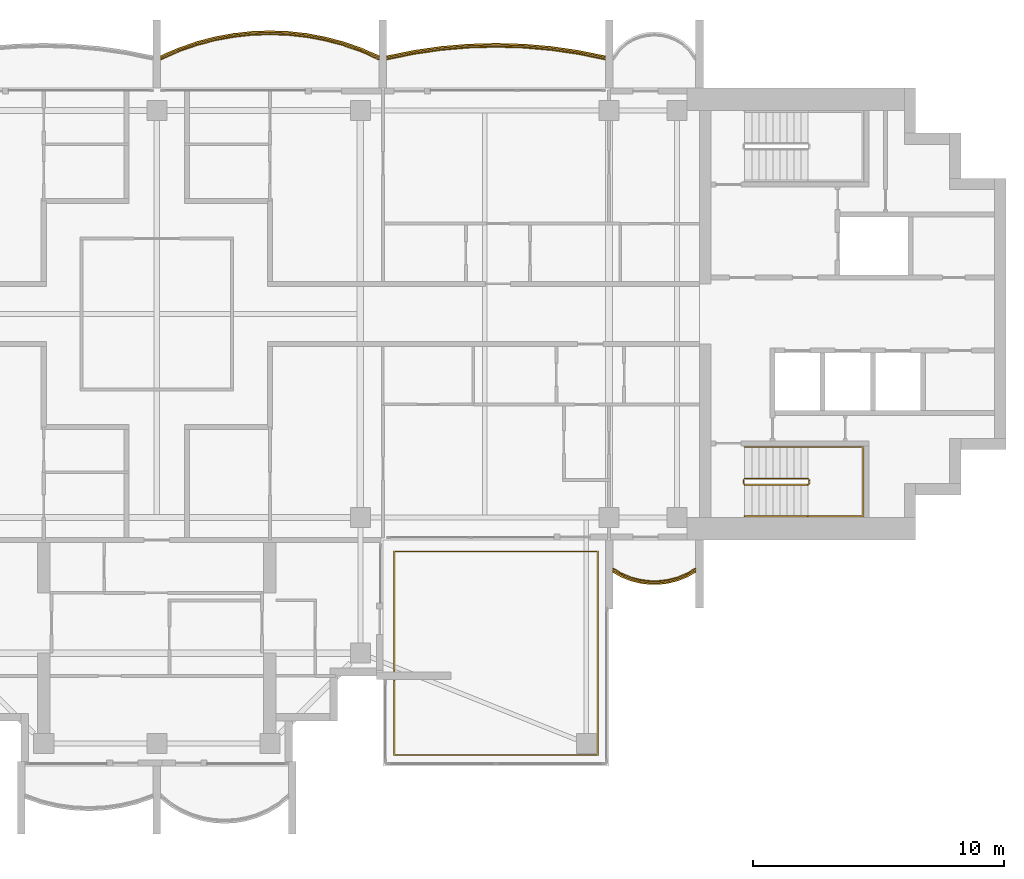
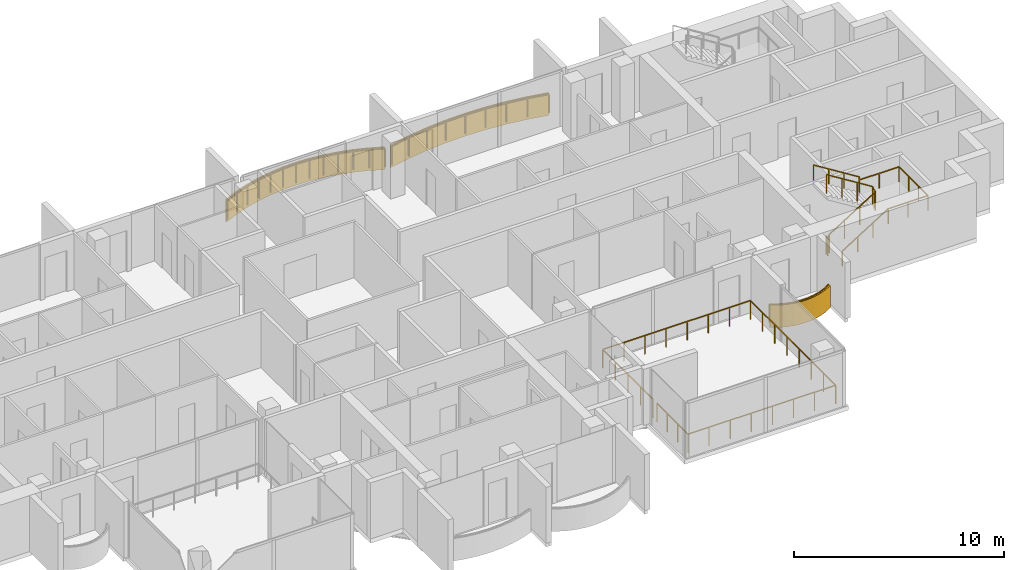
# One storey, part 15 of 16: 6 railings, 3 coverings.
"""IFC4 building model written with IfcOpenShell, lengths in metres."""

from ifc_helpers import new_model, si_unit, direction, frame, origin, origin_2d, place, context, subcontext, project, spatial, polyline, rectangle, outline, extrude, material, layer, layer_set, type_object, element, save


model = new_model("IFC4")

# Units and contexts
model_context = context("Model", 3, precision=1e-05, world=origin(), true_north=direction((0.0, 1.0)))
body_context = subcontext(model_context, "Body", "Model", "MODEL_VIEW")
ifc_project = project(units=[si_unit("LENGTHUNIT", "METRE"), si_unit("AREAUNIT", "SQUARE_METRE"), si_unit("VOLUMEUNIT", "CUBIC_METRE"), si_unit("PLANEANGLEUNIT", "RADIAN"), si_unit("MASSUNIT", "GRAM", prefix="KILO")], contexts=[model_context])

# Site, building, storey
site_placement = place(None, origin())
site = spatial("IfcSite", under=ifc_project, at=site_placement, CompositionType="ELEMENT")
building_placement = place(site_placement, origin())
building = spatial("IfcBuilding", under=site, at=building_placement, Name="Perihelion Cross Residences", CompositionType="ELEMENT")
storey_placement = place(building_placement, frame((0.0, 0.0, 257.0)))
storey = spatial("IfcBuildingStorey", under=building, at=storey_placement, Name="L65", CompositionType="ELEMENT", Elevation=257.0)

# Coverings
ifc_material_1 = material(Name="Bronze anodised aluminium", Category="aluminium")
ifc_layer = layer(ifc_material_1, 0.070068359375)
ifc_layer_set = layer_set([ifc_layer], Name="Balcony fascia 1300")
covering_type = type_object("IfcCoveringType", Name="Balcony fascia 1300", PredefinedType="CLADDING", material=ifc_layer_set)
covering_1_placement = place(storey_placement, frame((0.0, 0.0, -0.199951171875)))
element("IfcCovering", 1, at=covering_1_placement, inside=storey, type_object=covering_type, Name="Fascia BF1 L65 east side north bay 2", PredefinedType="CLADDING", context=body_context, shape_type="SweptSolid", body=[
    extrude(outline(polyline([(16.7744140625, 10.4892578125), (15.682861328125, 10.645751953125), (14.591552734375, 10.739013671875), (13.5, 10.77001953125), (12.408447265625, 10.739013671875), (11.317138671875, 10.645751953125), (10.2255859375, 10.4892578125), (9.14990234375, 10.271484375), (9.14990234375, 10.199951171875), (10.237548828125, 10.42041015625), (11.324951171875, 10.576171875), (12.41259765625, 10.669189453125), (13.5, 10.699951171875), (14.58740234375, 10.669189453125), (15.675048828125, 10.576171875), (16.762451171875, 10.42041015625), (17.85009765625, 10.199951171875), (17.85009765625, 10.271484375), (16.7744140625, 10.4892578125)])), origin(), (0.0, 0.0, 1.0), 1.300048828125),
])
covering_2_placement = place(storey_placement, frame((0.0, 0.0, -0.199951171875)))
element("IfcCovering", 2, at=covering_2_placement, inside=storey, type_object=covering_type, Name="Fascia BF1 L65 north side east bay 1", PredefinedType="CLADDING", context=body_context, shape_type="SweptSolid", body=[
    extrude(outline(polyline([(8.150634765625, 10.582275390625), (7.42041015625, 10.83544921875), (6.690185546875, 11.028076171875), (5.960205078125, 11.1630859375), (5.22998046875, 11.243408203125), (4.5, 11.27001953125), (3.77001953125, 11.243408203125), (3.039794921875, 11.1630859375), (2.309814453125, 11.028076171875), (1.57958984375, 10.83544921875), (0.849365234375, 10.582275390625), (0.14990234375, 10.2763671875), (0.14990234375, 10.199951171875), (0.875, 10.51708984375), (1.60009765625, 10.7685546875), (2.324951171875, 10.959716796875), (3.050048828125, 11.093994140625), (3.77490234375, 11.173583984375), (4.5, 11.199951171875), (5.22509765625, 11.173583984375), (5.949951171875, 11.093994140625), (6.675048828125, 10.959716796875), (7.39990234375, 10.7685546875), (8.125, 10.51708984375), (8.85009765625, 10.199951171875), (8.85009765625, 10.2763671875), (8.150634765625, 10.582275390625)])), origin(), (0.0, 0.0, 1.0), 1.300048828125),
])
covering_3_placement = place(storey_placement, frame((0.0, 0.0, -0.199951171875)))
element("IfcCovering", 3, at=covering_3_placement, inside=storey, type_object=covering_type, Name="Fascia BF1 L65 east side south bay 2", PredefinedType="CLADDING", context=body_context, shape_type="SweptSolid", body=[
    extrude(outline(polyline([(18.486328125, -10.4716796875), (18.861572265625, -10.62158203125), (19.237060546875, -10.717529296875), (19.6123046875, -10.76416015625), (19.987548828125, -10.76416015625), (20.363037109375, -10.717529296875), (20.73828125, -10.62158203125), (21.11376953125, -10.4716796875), (21.449951171875, -10.280517578125), (21.449951171875, -10.199951171875), (21.083251953125, -10.40869140625), (20.716552734375, -10.55517578125), (20.35009765625, -10.648681640625), (19.9833984375, -10.6943359375), (19.61669921875, -10.6943359375), (19.25, -10.648681640625), (18.88330078125, -10.55517578125), (18.5166015625, -10.40869140625), (18.14990234375, -10.199951171875), (18.14990234375, -10.280517578125), (18.486328125, -10.4716796875)])), origin(), (0.0, 0.0, 1.0), 1.300048828125),
])

# Railings
ifc_material_2 = material(Name="Bronze anodised aluminium", Category="aluminium")
railing_type_1 = type_object("IfcRailingType", Name="Balcony guard 1100", PredefinedType="GUARDRAIL", material=ifc_material_2)
railing_1_placement = place(storey_placement, frame((17.824951171875, 10.139892578125, 0.0)))
element("IfcRailing", 4, at=railing_1_placement, inside=storey, type_object=railing_type_1, Name="Guard GU1 L65 east side north bay 2 balcony", PredefinedType="GUARDRAIL", context=body_context, shape_type="SweptSolid", body=[
    extrude(rectangle(XDim=0.048095703125, YDim=0.048095703125, at=origin_2d()), frame((0.0, 0.0, 1.076171875), z_axis=(-0.979144816647, 0.203163549961, 0.0), x_axis=(-0.203163549961, -0.979144816647, 0.0)), (0.0, 0.0, 1.0), 1.085205078125),
    extrude(rectangle(XDim=0.048095703125, YDim=0.048095703125, at=origin_2d()), frame((-1.0625, 0.220458984375, 1.076171875), z_axis=(-0.98989608354, 0.141794724135, 0.0), x_axis=(-0.141794724135, -0.98989608354, 0.0)), (0.0, 0.0, 1.0), 1.098388671875),
    extrude(rectangle(XDim=0.048095703125, YDim=0.048095703125, at=origin_2d()), frame((-2.14990234375, 0.376220703125, 1.076171875), z_axis=(-0.996362942492, 0.085210837506, 0.0), x_axis=(-0.085210837506, -0.996362942492, 0.0)), (0.0, 0.0, 1.0), 1.091552734375),
    extrude(rectangle(XDim=0.048095703125, YDim=0.048095703125, at=origin_2d()), frame((-3.237548828125, 0.46923828125, 1.076171875), z_axis=(-0.999600101203, 0.028277865458, 0.0), x_axis=(-0.028277865458, -0.999600101203, 0.0)), (0.0, 0.0, 1.0), 1.087890625),
    extrude(rectangle(XDim=0.048095703125, YDim=0.048095703125, at=origin_2d()), frame((-4.324951171875, 0.5, 1.076171875), z_axis=(-0.999600101203, -0.028277865458, 0.0), x_axis=(0.028277865458, -0.999600101203, 0.0)), (0.0, 0.0, 1.0), 1.087890625),
    extrude(rectangle(XDim=0.048095703125, YDim=0.048095703125, at=origin_2d()), frame((-5.412353515625, 0.46923828125, 1.076171875), z_axis=(-0.996362942492, -0.085210837506, 0.0), x_axis=(0.085210837506, -0.996362942492, 0.0)), (0.0, 0.0, 1.0), 1.091552734375),
    extrude(rectangle(XDim=0.048095703125, YDim=0.048095703125, at=origin_2d()), frame((-6.5, 0.376220703125, 1.076171875), z_axis=(-0.98989608354, -0.141794724135, 0.0), x_axis=(0.141794724135, -0.98989608354, 0.0)), (0.0, 0.0, 1.0), 1.098388671875),
    extrude(rectangle(XDim=0.048095703125, YDim=0.048095703125, at=origin_2d()), frame((-7.58740234375, 0.220458984375, 1.076171875), z_axis=(-0.979144816647, -0.203163549961, 0.0), x_axis=(0.203163549961, -0.979144816647, 0.0)), (0.0, 0.0, 1.0), 1.085205078125),
    extrude(rectangle(XDim=0.0419921875, YDim=0.0419921875, at=origin_2d()), origin(), (0.0, 0.0, 1.0), 1.052001953125),
    extrude(rectangle(XDim=0.0419921875, YDim=0.0419921875, at=origin_2d()), frame((-1.0625, 0.220458984375, 0.0)), (0.0, 0.0, 1.0), 1.052001953125),
    extrude(rectangle(XDim=0.0419921875, YDim=0.0419921875, at=origin_2d()), frame((-2.14990234375, 0.376220703125, 0.0)), (0.0, 0.0, 1.0), 1.052001953125),
    extrude(rectangle(XDim=0.0419921875, YDim=0.0419921875, at=origin_2d()), frame((-3.237548828125, 0.46923828125, 0.0)), (0.0, 0.0, 1.0), 1.052001953125),
    extrude(rectangle(XDim=0.0419921875, YDim=0.0419921875, at=origin_2d()), frame((-4.324951171875, 0.5, 0.0)), (0.0, 0.0, 1.0), 1.052001953125),
    extrude(rectangle(XDim=0.0419921875, YDim=0.0419921875, at=origin_2d()), frame((-5.412353515625, 0.46923828125, 0.0)), (0.0, 0.0, 1.0), 1.052001953125),
    extrude(rectangle(XDim=0.0419921875, YDim=0.0419921875, at=origin_2d()), frame((-6.5, 0.376220703125, 0.0)), (0.0, 0.0, 1.0), 1.052001953125),
    extrude(rectangle(XDim=0.0419921875, YDim=0.0419921875, at=origin_2d()), frame((-7.58740234375, 0.220458984375, 0.0)), (0.0, 0.0, 1.0), 1.052001953125),
    extrude(rectangle(XDim=0.0419921875, YDim=0.0419921875, at=origin_2d()), frame((-8.64990234375, 0.0, 0.0)), (0.0, 0.0, 1.0), 1.052001953125),
])
railing_2_placement = place(storey_placement, frame((8.824951171875, 10.139892578125, 0.0)))
element("IfcRailing", 5, at=railing_2_placement, inside=storey, type_object=railing_type_1, Name="Guard GU1 L65 north side east bay 1 balcony", PredefinedType="GUARDRAIL", context=body_context, shape_type="SweptSolid", body=[
    extrude(rectangle(XDim=0.048095703125, YDim=0.048095703125, at=origin_2d()), frame((0.0, 0.0, 1.076171875), z_axis=(-0.910866309087, 0.412701547089, 0.0), x_axis=(-0.412701547089, -0.910866309087, 0.0)), (0.0, 0.0, 1.0), 0.7685546875),
    extrude(rectangle(XDim=0.048095703125, YDim=0.048095703125, at=origin_2d()), frame((-0.699951171875, 0.317138671875, 1.076171875), z_axis=(-0.944796812452, 0.327656807012, 0.0), x_axis=(-0.327656807012, -0.944796812452, 0.0)), (0.0, 0.0, 1.0), 0.767578125),
    extrude(rectangle(XDim=0.048095703125, YDim=0.048095703125, at=origin_2d()), frame((-1.425048828125, 0.568603515625, 1.076171875), z_axis=(-0.966939404945, 0.255006249266, 0.0), x_axis=(-0.255006249266, -0.966939404945, 0.0)), (0.0, 0.0, 1.0), 0.749755859375),
    extrude(rectangle(XDim=0.048095703125, YDim=0.048095703125, at=origin_2d()), frame((-2.14990234375, 0.759765625, 1.076171875), z_axis=(-0.983282004984, 0.182089260182, 0.0), x_axis=(-0.182089260182, -0.983282004984, 0.0)), (0.0, 0.0, 1.0), 0.7373046875),
    extrude(rectangle(XDim=0.048095703125, YDim=0.048095703125, at=origin_2d()), frame((-2.875, 0.89404296875, 1.076171875), z_axis=(-0.994025805622, 0.109145305703, 0.0), x_axis=(-0.109145305703, -0.994025805622, 0.0)), (0.0, 0.0, 1.0), 0.729248046875),
    extrude(rectangle(XDim=0.048095703125, YDim=0.048095703125, at=origin_2d()), frame((-3.599853515625, 0.9736328125, 1.076171875), z_axis=(-0.999339497946, 0.036339618107, 0.0), x_axis=(-0.036339618107, -0.999339497946, 0.0)), (0.0, 0.0, 1.0), 0.7255859375),
    extrude(rectangle(XDim=0.048095703125, YDim=0.048095703125, at=origin_2d()), frame((-4.324951171875, 1.0, 1.076171875), z_axis=(-0.999339497946, -0.036339618107, 0.0), x_axis=(0.036339618107, -0.999339497946, 0.0)), (0.0, 0.0, 1.0), 0.7255859375),
    extrude(rectangle(XDim=0.048095703125, YDim=0.048095703125, at=origin_2d()), frame((-5.050048828125, 0.9736328125, 1.076171875), z_axis=(-0.994025805622, -0.109145305703, 0.0), x_axis=(0.109145305703, -0.994025805622, 0.0)), (0.0, 0.0, 1.0), 0.729248046875),
    extrude(rectangle(XDim=0.048095703125, YDim=0.048095703125, at=origin_2d()), frame((-5.77490234375, 0.89404296875, 1.076171875), z_axis=(-0.983282004984, -0.182089260182, 0.0), x_axis=(0.182089260182, -0.983282004984, 0.0)), (0.0, 0.0, 1.0), 0.7373046875),
    extrude(rectangle(XDim=0.048095703125, YDim=0.048095703125, at=origin_2d()), frame((-6.5, 0.759765625, 1.076171875), z_axis=(-0.966939404945, -0.255006249266, 0.0), x_axis=(0.255006249266, -0.966939404945, 0.0)), (0.0, 0.0, 1.0), 0.749755859375),
    extrude(rectangle(XDim=0.048095703125, YDim=0.048095703125, at=origin_2d()), frame((-7.224853515625, 0.568603515625, 1.076171875), z_axis=(-0.944796812452, -0.327656807012, 0.0), x_axis=(0.327656807012, -0.944796812452, 0.0)), (0.0, 0.0, 1.0), 0.767578125),
    extrude(rectangle(XDim=0.048095703125, YDim=0.048095703125, at=origin_2d()), frame((-7.949951171875, 0.317138671875, 1.076171875), z_axis=(-0.910866309087, -0.412701547089, 0.0), x_axis=(0.412701547089, -0.910866309087, 0.0)), (0.0, 0.0, 1.0), 0.7685546875),
    extrude(rectangle(XDim=0.0419921875, YDim=0.0419921875, at=origin_2d()), origin(), (0.0, 0.0, 1.0), 1.052001953125),
    extrude(rectangle(XDim=0.0419921875, YDim=0.0419921875, at=origin_2d()), frame((-0.699951171875, 0.317138671875, 0.0)), (0.0, 0.0, 1.0), 1.052001953125),
    extrude(rectangle(XDim=0.0419921875, YDim=0.0419921875, at=origin_2d()), frame((-1.425048828125, 0.568603515625, 0.0)), (0.0, 0.0, 1.0), 1.052001953125),
    extrude(rectangle(XDim=0.0419921875, YDim=0.0419921875, at=origin_2d()), frame((-2.14990234375, 0.759765625, 0.0)), (0.0, 0.0, 1.0), 1.052001953125),
    extrude(rectangle(XDim=0.0419921875, YDim=0.0419921875, at=origin_2d()), frame((-2.875, 0.89404296875, 0.0)), (0.0, 0.0, 1.0), 1.052001953125),
    extrude(rectangle(XDim=0.0419921875, YDim=0.0419921875, at=origin_2d()), frame((-3.599853515625, 0.9736328125, 0.0)), (0.0, 0.0, 1.0), 1.052001953125),
    extrude(rectangle(XDim=0.0419921875, YDim=0.0419921875, at=origin_2d()), frame((-4.324951171875, 1.0, 0.0)), (0.0, 0.0, 1.0), 1.052001953125),
    extrude(rectangle(XDim=0.0419921875, YDim=0.0419921875, at=origin_2d()), frame((-5.050048828125, 0.9736328125, 0.0)), (0.0, 0.0, 1.0), 1.052001953125),
    extrude(rectangle(XDim=0.0419921875, YDim=0.0419921875, at=origin_2d()), frame((-5.77490234375, 0.89404296875, 0.0)), (0.0, 0.0, 1.0), 1.052001953125),
    extrude(rectangle(XDim=0.0419921875, YDim=0.0419921875, at=origin_2d()), frame((-6.5, 0.759765625, 0.0)), (0.0, 0.0, 1.0), 1.052001953125),
    extrude(rectangle(XDim=0.0419921875, YDim=0.0419921875, at=origin_2d()), frame((-7.224853515625, 0.568603515625, 0.0)), (0.0, 0.0, 1.0), 1.052001953125),
    extrude(rectangle(XDim=0.0419921875, YDim=0.0419921875, at=origin_2d()), frame((-7.949951171875, 0.317138671875, 0.0)), (0.0, 0.0, 1.0), 1.052001953125),
    extrude(rectangle(XDim=0.0419921875, YDim=0.0419921875, at=origin_2d()), frame((-8.64990234375, 0.0, 0.0)), (0.0, 0.0, 1.0), 1.052001953125),
])
railing_3_placement = place(storey_placement, frame((18.175048828125, -10.139892578125, 0.0)))
element("IfcRailing", 6, at=railing_3_placement, inside=storey, type_object=railing_type_1, Name="Guard GU1 L65 east side south bay 2 balcony", PredefinedType="GUARDRAIL", context=body_context, shape_type="SweptSolid", body=[
    extrude(rectangle(XDim=0.048095703125, YDim=0.048095703125, at=origin_2d()), frame((0.0, 0.0, 1.076171875), z_axis=(0.853266756821, -0.52147467983, 0.0), x_axis=(0.52147467983, 0.853266756821, 0.0)), (0.0, 0.0, 1.0), 0.400390625),
    extrude(rectangle(XDim=0.048095703125, YDim=0.048095703125, at=origin_2d()), frame((0.341552734375, -0.208740234375, 1.076171875), z_axis=(0.928647151248, -0.37096424151, 0.0), x_axis=(0.37096424151, 0.928647151248, 0.0)), (0.0, 0.0, 1.0), 0.394775390625),
    extrude(rectangle(XDim=0.048095703125, YDim=0.048095703125, at=origin_2d()), frame((0.708251953125, -0.355224609375, 1.076171875), z_axis=(0.968993337782, -0.247086849781, 0.0), x_axis=(0.247086849781, 0.968993337782, 0.0)), (0.0, 0.0, 1.0), 0.37841796875),
    extrude(rectangle(XDim=0.048095703125, YDim=0.048095703125, at=origin_2d()), frame((1.074951171875, -0.44873046875, 1.076171875), z_axis=(0.992338742457, -0.123546834114, 0.0), x_axis=(0.123546834114, 0.992338742457, 0.0)), (0.0, 0.0, 1.0), 0.36962890625),
    extrude(rectangle(XDim=0.048095703125, YDim=0.048095703125, at=origin_2d()), frame((1.441650390625, -0.494384765625, 1.076171875), z_axis=(1.0, 0.0, 0.0), x_axis=(0.0, 1.0, 0.0)), (0.0, 0.0, 1.0), 0.36669921875),
    extrude(rectangle(XDim=0.048095703125, YDim=0.048095703125, at=origin_2d()), frame((1.808349609375, -0.494384765625, 1.076171875), z_axis=(0.992338742457, 0.123546834114, 0.0), x_axis=(-0.123546834114, 0.992338742457, 0.0)), (0.0, 0.0, 1.0), 0.36962890625),
    extrude(rectangle(XDim=0.048095703125, YDim=0.048095703125, at=origin_2d()), frame((2.175048828125, -0.44873046875, 1.076171875), z_axis=(0.968953914071, 0.247241405123, 0.0), x_axis=(-0.247241405123, 0.968953914071, 0.0)), (0.0, 0.0, 1.0), 0.378173828125),
    extrude(rectangle(XDim=0.048095703125, YDim=0.048095703125, at=origin_2d()), frame((2.54150390625, -0.355224609375, 1.076171875), z_axis=(0.928647151248, 0.37096424151, 0.0), x_axis=(-0.37096424151, 0.928647151248, 0.0)), (0.0, 0.0, 1.0), 0.394775390625),
    extrude(rectangle(XDim=0.048095703125, YDim=0.048095703125, at=origin_2d()), frame((2.908203125, -0.208740234375, 1.076171875), z_axis=(0.853432484338, 0.521203410078, 0.0), x_axis=(-0.521203410078, 0.853432484338, 0.0)), (0.0, 0.0, 1.0), 0.400390625),
    extrude(rectangle(XDim=0.0419921875, YDim=0.0419921875, at=origin_2d()), origin(), (0.0, 0.0, 1.0), 1.052001953125),
    extrude(rectangle(XDim=0.0419921875, YDim=0.0419921875, at=origin_2d()), frame((0.341552734375, -0.208740234375, 0.0)), (0.0, 0.0, 1.0), 1.052001953125),
    extrude(rectangle(XDim=0.0419921875, YDim=0.0419921875, at=origin_2d()), frame((0.708251953125, -0.355224609375, 0.0)), (0.0, 0.0, 1.0), 1.052001953125),
    extrude(rectangle(XDim=0.0419921875, YDim=0.0419921875, at=origin_2d()), frame((1.074951171875, -0.44873046875, 0.0)), (0.0, 0.0, 1.0), 1.052001953125),
    extrude(rectangle(XDim=0.0419921875, YDim=0.0419921875, at=origin_2d()), frame((1.441650390625, -0.494384765625, 0.0)), (0.0, 0.0, 1.0), 1.052001953125),
    extrude(rectangle(XDim=0.0419921875, YDim=0.0419921875, at=origin_2d()), frame((1.808349609375, -0.494384765625, 0.0)), (0.0, 0.0, 1.0), 1.052001953125),
    extrude(rectangle(XDim=0.0419921875, YDim=0.0419921875, at=origin_2d()), frame((2.175048828125, -0.44873046875, 0.0)), (0.0, 0.0, 1.0), 1.052001953125),
    extrude(rectangle(XDim=0.0419921875, YDim=0.0419921875, at=origin_2d()), frame((2.54150390625, -0.355224609375, 0.0)), (0.0, 0.0, 1.0), 1.052001953125),
    extrude(rectangle(XDim=0.0419921875, YDim=0.0419921875, at=origin_2d()), frame((2.908203125, -0.208740234375, 0.0)), (0.0, 0.0, 1.0), 1.052001953125),
    extrude(rectangle(XDim=0.0419921875, YDim=0.0419921875, at=origin_2d()), frame((3.25, 0.0, 0.0)), (0.0, 0.0, 1.0), 1.052001953125),
])
railing_4_placement = place(storey_placement, frame((9.449951171875, -14.2099609375, 0.0)))
element("IfcRailing", 7, at=railing_4_placement, inside=storey, type_object=railing_type_1, Name="Guard GU1 L65 pocket south-east 1", PredefinedType="GUARDRAIL", context=body_context, shape_type="SweptSolid", body=[
    extrude(rectangle(XDim=0.048095703125, YDim=0.048095703125, at=origin_2d()), frame((0.0, 0.0, 1.076171875), z_axis=(0.0, 1.0, 0.0), x_axis=(-1.0, 0.0, 0.0)), (0.0, 0.0, 1.0), 4.760009765625),
    extrude(rectangle(XDim=0.048095703125, YDim=0.048095703125, at=origin_2d()), frame((0.0, 4.760009765625, 1.076171875), z_axis=(1.0, 0.0, 0.0), x_axis=(0.0, 1.0, 0.0)), (0.0, 0.0, 1.0), 8.10009765625),
    extrude(rectangle(XDim=0.048095703125, YDim=0.048095703125, at=origin_2d()), frame((8.10009765625, 4.760009765625, 1.076171875), z_axis=(0.0, -1.0, 0.0), x_axis=(1.0, 0.0, 0.0)), (0.0, 0.0, 1.0), 8.10009765625),
    extrude(rectangle(XDim=0.048095703125, YDim=0.048095703125, at=origin_2d()), frame((8.10009765625, -3.340087890625, 1.076171875), z_axis=(-1.0, 0.0, 0.0), x_axis=(0.0, -1.0, 0.0)), (0.0, 0.0, 1.0), 8.10009765625),
    extrude(rectangle(XDim=0.048095703125, YDim=0.048095703125, at=origin_2d()), frame((0.0, -3.340087890625, 1.076171875), z_axis=(0.0, 1.0, 0.0), x_axis=(-1.0, 0.0, 0.0)), (0.0, 0.0, 1.0), 2.9599609375),
    extrude(rectangle(XDim=0.0419921875, YDim=0.0419921875, at=origin_2d()), origin(), (0.0, 0.0, 1.0), 1.052001953125),
    extrude(rectangle(XDim=0.0419921875, YDim=0.0419921875, at=origin_2d()), frame((0.0, 1.18994140625, 0.0)), (0.0, 0.0, 1.0), 1.052001953125),
    extrude(rectangle(XDim=0.0419921875, YDim=0.0419921875, at=origin_2d()), frame((0.0, 2.3798828125, 0.0)), (0.0, 0.0, 1.0), 1.052001953125),
    extrude(rectangle(XDim=0.0419921875, YDim=0.0419921875, at=origin_2d()), frame((0.0, 3.570068359375, 0.0)), (0.0, 0.0, 1.0), 1.052001953125),
    extrude(rectangle(XDim=0.0419921875, YDim=0.0419921875, at=origin_2d()), frame((0.0, 4.760009765625, 0.0)), (0.0, 0.0, 1.0), 1.052001953125),
    extrude(rectangle(XDim=0.0419921875, YDim=0.0419921875, at=origin_2d()), frame((1.1572265625, 4.760009765625, 0.0)), (0.0, 0.0, 1.0), 1.052001953125),
    extrude(rectangle(XDim=0.0419921875, YDim=0.0419921875, at=origin_2d()), frame((2.314208984375, 4.760009765625, 0.0)), (0.0, 0.0, 1.0), 1.052001953125),
    extrude(rectangle(XDim=0.0419921875, YDim=0.0419921875, at=origin_2d()), frame((3.471435546875, 4.760009765625, 0.0)), (0.0, 0.0, 1.0), 1.052001953125),
    extrude(rectangle(XDim=0.0419921875, YDim=0.0419921875, at=origin_2d()), frame((4.628662109375, 4.760009765625, 0.0)), (0.0, 0.0, 1.0), 1.052001953125),
    extrude(rectangle(XDim=0.0419921875, YDim=0.0419921875, at=origin_2d()), frame((5.785888671875, 4.760009765625, 0.0)), (0.0, 0.0, 1.0), 1.052001953125),
    extrude(rectangle(XDim=0.0419921875, YDim=0.0419921875, at=origin_2d()), frame((6.94287109375, 4.760009765625, 0.0)), (0.0, 0.0, 1.0), 1.052001953125),
    extrude(rectangle(XDim=0.0419921875, YDim=0.0419921875, at=origin_2d()), frame((8.10009765625, 4.760009765625, 0.0)), (0.0, 0.0, 1.0), 1.052001953125),
    extrude(rectangle(XDim=0.0419921875, YDim=0.0419921875, at=origin_2d()), frame((8.10009765625, 3.602783203125, 0.0)), (0.0, 0.0, 1.0), 1.052001953125),
    extrude(rectangle(XDim=0.0419921875, YDim=0.0419921875, at=origin_2d()), frame((8.10009765625, 2.44580078125, 0.0)), (0.0, 0.0, 1.0), 1.052001953125),
    extrude(rectangle(XDim=0.0419921875, YDim=0.0419921875, at=origin_2d()), frame((8.10009765625, 1.28857421875, 0.0)), (0.0, 0.0, 1.0), 1.052001953125),
    extrude(rectangle(XDim=0.0419921875, YDim=0.0419921875, at=origin_2d()), frame((8.10009765625, 0.13134765625, 0.0)), (0.0, 0.0, 1.0), 1.052001953125),
    extrude(rectangle(XDim=0.0419921875, YDim=0.0419921875, at=origin_2d()), frame((8.10009765625, -1.02587890625, 0.0)), (0.0, 0.0, 1.0), 1.052001953125),
    extrude(rectangle(XDim=0.0419921875, YDim=0.0419921875, at=origin_2d()), frame((8.10009765625, -2.182861328125, 0.0)), (0.0, 0.0, 1.0), 1.052001953125),
    extrude(rectangle(XDim=0.0419921875, YDim=0.0419921875, at=origin_2d()), frame((8.10009765625, -3.340087890625, 0.0)), (0.0, 0.0, 1.0), 1.052001953125),
    extrude(rectangle(XDim=0.0419921875, YDim=0.0419921875, at=origin_2d()), frame((6.94287109375, -3.340087890625, 0.0)), (0.0, 0.0, 1.0), 1.052001953125),
    extrude(rectangle(XDim=0.0419921875, YDim=0.0419921875, at=origin_2d()), frame((5.785888671875, -3.340087890625, 0.0)), (0.0, 0.0, 1.0), 1.052001953125),
    extrude(rectangle(XDim=0.0419921875, YDim=0.0419921875, at=origin_2d()), frame((4.628662109375, -3.340087890625, 0.0)), (0.0, 0.0, 1.0), 1.052001953125),
    extrude(rectangle(XDim=0.0419921875, YDim=0.0419921875, at=origin_2d()), frame((3.471435546875, -3.340087890625, 0.0)), (0.0, 0.0, 1.0), 1.052001953125),
    extrude(rectangle(XDim=0.0419921875, YDim=0.0419921875, at=origin_2d()), frame((2.314208984375, -3.340087890625, 0.0)), (0.0, 0.0, 1.0), 1.052001953125),
    extrude(rectangle(XDim=0.0419921875, YDim=0.0419921875, at=origin_2d()), frame((1.1572265625, -3.340087890625, 0.0)), (0.0, 0.0, 1.0), 1.052001953125),
    extrude(rectangle(XDim=0.0419921875, YDim=0.0419921875, at=origin_2d()), frame((0.0, -3.340087890625, 0.0)), (0.0, 0.0, 1.0), 1.052001953125),
    extrude(rectangle(XDim=0.0419921875, YDim=0.0419921875, at=origin_2d()), frame((0.0, -2.353515625, 0.0)), (0.0, 0.0, 1.0), 1.052001953125),
    extrude(rectangle(XDim=0.0419921875, YDim=0.0419921875, at=origin_2d()), frame((0.0, -1.36669921875, 0.0)), (0.0, 0.0, 1.0), 1.052001953125),
    extrude(rectangle(XDim=0.0419921875, YDim=0.0419921875, at=origin_2d()), frame((0.0, -0.380126953125, 0.0)), (0.0, 0.0, 1.0), 1.052001953125),
])
ifc_material_3 = material(Name="Stainless steel", Category="steel")
railing_type_2 = type_object("IfcRailingType", Name="Stair guard 1100", PredefinedType="GUARDRAIL", material=ifc_material_3)
railing_5_placement = place(storey_placement, frame((23.35009765625, -6.60009765625, 0.0)))
element("IfcRailing", 8, at=railing_5_placement, inside=storey, type_object=railing_type_2, Name="L65 ST-E2 stair guard 1", PredefinedType="GUARDRAIL", context=body_context, shape_type="SweptSolid", body=[
    extrude(rectangle(XDim=0.048095703125, YDim=0.048095703125, at=origin_2d()), frame((0.0, 0.0, 1.076171875), z_axis=(0.0, -1.0, 0.0), x_axis=(1.0, 0.0, 0.0)), (0.0, 0.0, 1.0), 0.14990234375),
    extrude(rectangle(XDim=0.048095703125, YDim=0.048095703125, at=origin_2d()), frame((0.0, -0.14990234375, 1.076171875), z_axis=(0.263862480399, -0.265155923931, 0.927399011991), x_axis=(0.708833529934, 0.705375805398, 0.0)), (0.0, 0.0, 1.0), 0.188720703125),
    extrude(rectangle(XDim=0.048095703125, YDim=0.048095703125, at=origin_2d()), frame((0.0498046875, -0.199951171875, 1.2509765625), z_axis=(0.848007534815, 0.0, 0.529984170421), x_axis=(0.0, 1.0, 0.0)), (0.0, 0.0, 1.0), 2.9716796875),
    extrude(rectangle(XDim=0.048095703125, YDim=0.048095703125, at=origin_2d()), frame((2.56982421875, -0.199951171875, 2.826171875), z_axis=(0.707106781187, 0.707106781187, 0.0), x_axis=(-0.707106781187, 0.707106781187, 0.0)), (0.0, 0.0, 1.0), 0.07080078125),
    extrude(rectangle(XDim=0.048095703125, YDim=0.048095703125, at=origin_2d()), frame((2.619873046875, -0.14990234375, 2.826171875), z_axis=(0.0, 1.0, 0.0), x_axis=(-1.0, 0.0, 0.0)), (0.0, 0.0, 1.0), 0.14990234375),
    extrude(rectangle(XDim=0.048095703125, YDim=0.048095703125, at=origin_2d()), frame((2.619873046875, 0.0, 2.826171875), z_axis=(-0.265065253269, 0.265065253269, 0.927081885822), x_axis=(-0.707106781187, -0.707106781187, 0.0)), (0.0, 0.0, 1.0), 0.188720703125),
    extrude(rectangle(XDim=0.048095703125, YDim=0.048095703125, at=origin_2d()), frame((2.56982421875, 0.050048828125, 3.0009765625), z_axis=(-0.848007534815, 0.0, 0.529984170421), x_axis=(0.0, -1.0, 0.0)), (0.0, 0.0, 1.0), 2.9716796875),
    extrude(rectangle(XDim=0.0419921875, YDim=0.0419921875, at=origin_2d()), origin(), (0.0, 0.0, 1.0), 1.052001953125),
    extrude(rectangle(XDim=0.0419921875, YDim=0.0419921875, at=origin_2d()), frame((0.0, -0.14990234375, 0.0)), (0.0, 0.0, 1.0), 1.052001953125),
    extrude(rectangle(XDim=0.0419921875, YDim=0.0419921875, at=origin_2d()), frame((0.0498046875, -0.199951171875, 0.175048828125)), (0.0, 0.0, 1.0), 1.052001953125),
    extrude(rectangle(XDim=0.0419921875, YDim=0.0419921875, at=origin_2d()), frame((0.889892578125, -0.199951171875, 0.699951171875)), (0.0, 0.0, 1.0), 1.052001953125),
    extrude(rectangle(XDim=0.0419921875, YDim=0.0419921875, at=origin_2d()), frame((1.729736328125, -0.199951171875, 1.22509765625)), (0.0, 0.0, 1.0), 1.052001953125),
    extrude(rectangle(XDim=0.0419921875, YDim=0.0419921875, at=origin_2d()), frame((2.56982421875, -0.199951171875, 1.75)), (0.0, 0.0, 1.0), 1.052001953125),
    extrude(rectangle(XDim=0.0419921875, YDim=0.0419921875, at=origin_2d()), frame((2.619873046875, -0.14990234375, 1.75)), (0.0, 0.0, 1.0), 1.052001953125),
    extrude(rectangle(XDim=0.0419921875, YDim=0.0419921875, at=origin_2d()), frame((2.619873046875, 0.0, 1.75)), (0.0, 0.0, 1.0), 1.052001953125),
    extrude(rectangle(XDim=0.0419921875, YDim=0.0419921875, at=origin_2d()), frame((2.56982421875, 0.050048828125, 1.925048828125)), (0.0, 0.0, 1.0), 1.052001953125),
    extrude(rectangle(XDim=0.0419921875, YDim=0.0419921875, at=origin_2d()), frame((1.729736328125, 0.050048828125, 2.449951171875)), (0.0, 0.0, 1.0), 1.052001953125),
    extrude(rectangle(XDim=0.0419921875, YDim=0.0419921875, at=origin_2d()), frame((0.889892578125, 0.050048828125, 2.97509765625)), (0.0, 0.0, 1.0), 1.052001953125),
    extrude(rectangle(XDim=0.0419921875, YDim=0.0419921875, at=origin_2d()), frame((0.0498046875, 0.050048828125, 3.5)), (0.0, 0.0, 1.0), 1.052001953125),
])
ifc_material_4 = material(Name="Stainless steel", Category="steel")
railing_type_3 = type_object("IfcRailingType", Name="Stair handrail 900", PredefinedType="HANDRAIL", material=ifc_material_4)
railing_6_placement = place(storey_placement, frame((23.39990234375, -8.050048828125, 0.175048828125)))
element("IfcRailing", 9, at=railing_6_placement, inside=storey, type_object=railing_type_3, Name="L65 ST-E2 stair handrail 1", PredefinedType="HANDRAIL", context=body_context, shape_type="SweptSolid", body=[
    extrude(rectangle(XDim=0.048095703125, YDim=0.048095703125, at=origin_2d()), frame((0.0, 0.0, 0.8759765625), z_axis=(0.848007534815, 0.0, 0.529984170421), x_axis=(0.0, 1.0, 0.0)), (0.0, 0.0, 1.0), 2.9716796875),
    extrude(rectangle(XDim=0.048095703125, YDim=0.048095703125, at=origin_2d()), frame((2.52001953125, 0.0, 2.45068359375), z_axis=(1.0, 0.0, 0.0), x_axis=(0.0, 1.0, 0.0)), (0.0, 0.0, 1.0), 2.18017578125),
    extrude(rectangle(XDim=0.048095703125, YDim=0.048095703125, at=origin_2d()), frame((4.7001953125, 0.0, 2.45068359375), z_axis=(0.0, 1.0, 0.0), x_axis=(-1.0, 0.0, 0.0)), (0.0, 0.0, 1.0), 2.75),
    extrude(rectangle(XDim=0.048095703125, YDim=0.048095703125, at=origin_2d()), frame((4.7001953125, 2.75, 2.45068359375), z_axis=(-1.0, 0.0, 0.0), x_axis=(0.0, -1.0, 0.0)), (0.0, 0.0, 1.0), 2.18017578125),
    extrude(rectangle(XDim=0.048095703125, YDim=0.048095703125, at=origin_2d()), frame((2.52001953125, 2.75, 2.45068359375), z_axis=(0.0, 0.0, 1.0), x_axis=(1.0, 0.0, 0.0)), (0.0, 0.0, 1.0), 0.175048828125),
    extrude(rectangle(XDim=0.048095703125, YDim=0.048095703125, at=origin_2d()), frame((2.52001953125, 2.75, 2.6259765625), z_axis=(-0.848007534815, 0.0, 0.529984170421), x_axis=(0.0, -1.0, 0.0)), (0.0, 0.0, 1.0), 2.9716796875),
    extrude(rectangle(XDim=0.0419921875, YDim=0.0419921875, at=origin_2d()), origin(), (0.0, 0.0, 1.0), 0.851806640625),
    extrude(rectangle(XDim=0.0419921875, YDim=0.0419921875, at=origin_2d()), frame((0.840087890625, 0.0, 0.52490234375)), (0.0, 0.0, 1.0), 0.851806640625),
    extrude(rectangle(XDim=0.0419921875, YDim=0.0419921875, at=origin_2d()), frame((1.679931640625, 0.0, 1.050048828125)), (0.0, 0.0, 1.0), 0.851806640625),
    extrude(rectangle(XDim=0.0419921875, YDim=0.0419921875, at=origin_2d()), frame((2.52001953125, 0.0, 1.574951171875)), (0.0, 0.0, 1.0), 0.851806640625),
    extrude(rectangle(XDim=0.0419921875, YDim=0.0419921875, at=origin_2d()), frame((3.610107421875, 0.0, 1.574951171875)), (0.0, 0.0, 1.0), 0.851806640625),
    extrude(rectangle(XDim=0.0419921875, YDim=0.0419921875, at=origin_2d()), frame((4.7001953125, 0.0, 1.574951171875)), (0.0, 0.0, 1.0), 0.851806640625),
    extrude(rectangle(XDim=0.0419921875, YDim=0.0419921875, at=origin_2d()), frame((4.7001953125, 0.916748046875, 1.574951171875)), (0.0, 0.0, 1.0), 0.851806640625),
    extrude(rectangle(XDim=0.0419921875, YDim=0.0419921875, at=origin_2d()), frame((4.7001953125, 1.833251953125, 1.574951171875)), (0.0, 0.0, 1.0), 0.851806640625),
    extrude(rectangle(XDim=0.0419921875, YDim=0.0419921875, at=origin_2d()), frame((4.7001953125, 2.75, 1.574951171875)), (0.0, 0.0, 1.0), 0.851806640625),
    extrude(rectangle(XDim=0.0419921875, YDim=0.0419921875, at=origin_2d()), frame((3.610107421875, 2.75, 1.574951171875)), (0.0, 0.0, 1.0), 0.851806640625),
    extrude(rectangle(XDim=0.0419921875, YDim=0.0419921875, at=origin_2d()), frame((2.52001953125, 2.75, 1.574951171875)), (0.0, 0.0, 1.0), 0.851806640625),
    extrude(rectangle(XDim=0.0419921875, YDim=0.0419921875, at=origin_2d()), frame((2.52001953125, 2.75, 1.75)), (0.0, 0.0, 1.0), 0.851806640625),
    extrude(rectangle(XDim=0.0419921875, YDim=0.0419921875, at=origin_2d()), frame((1.679931640625, 2.75, 2.27490234375)), (0.0, 0.0, 1.0), 0.851806640625),
    extrude(rectangle(XDim=0.0419921875, YDim=0.0419921875, at=origin_2d()), frame((0.840087890625, 2.75, 2.800048828125)), (0.0, 0.0, 1.0), 0.851806640625),
    extrude(rectangle(XDim=0.0419921875, YDim=0.0419921875, at=origin_2d()), frame((0.0, 2.75, 3.324951171875)), (0.0, 0.0, 1.0), 0.851806640625),
])

save(model, "model.ifc")
